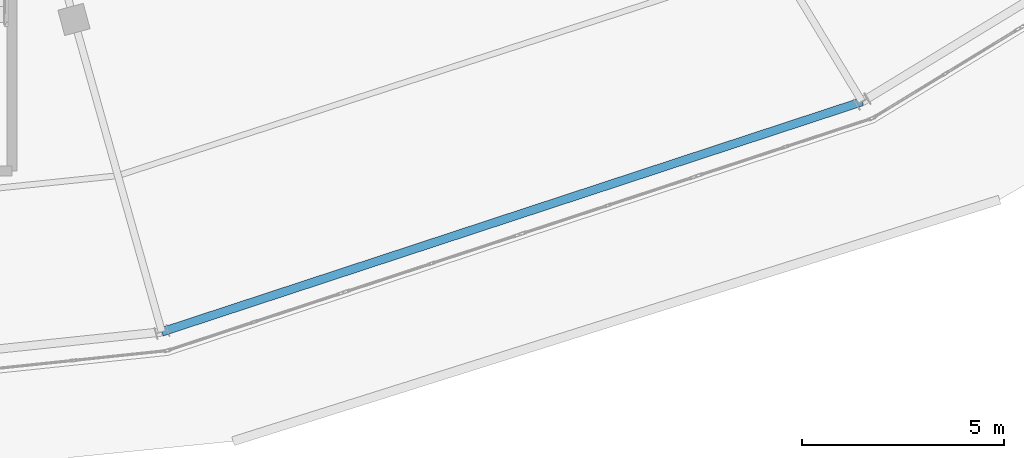
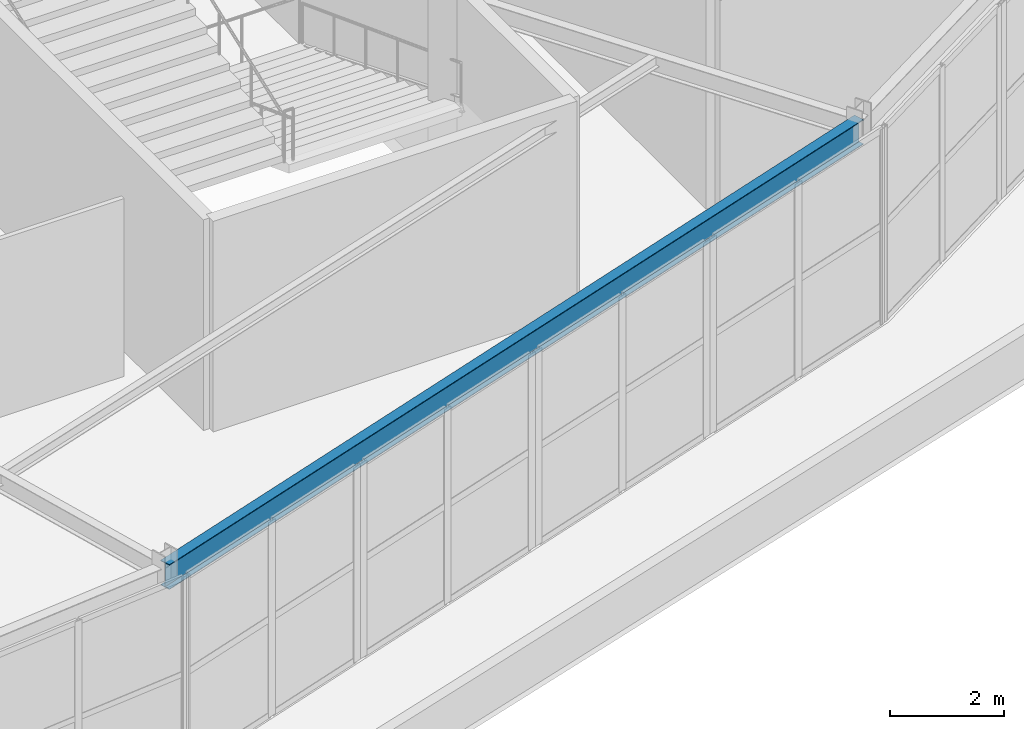
# One storey, part 43 of 126: 1 beam.
"""IFC4 building model written with IfcOpenShell, lengths in metres."""

from ifc_helpers import new_model, si_unit, direction, frame, origin, origin_2d, place, context, subcontext, project, spatial, i_section, extrude, material, material_profile, profile_set, type_object, element, save


model = new_model("IFC4")

# Units and contexts
model_context = context("Model", 3, precision=1e-05, world=origin(), true_north=direction((0.0, 1.0)))
body_context = subcontext(model_context, "Body", "Model", "MODEL_VIEW")
ifc_project = project(units=[si_unit("LENGTHUNIT", "METRE"), si_unit("AREAUNIT", "SQUARE_METRE"), si_unit("VOLUMEUNIT", "CUBIC_METRE"), si_unit("PLANEANGLEUNIT", "RADIAN"), si_unit("MASSUNIT", "GRAM", prefix="KILO")], contexts=[model_context])

# Site, building, storey
site_placement = place(None, origin())
site = spatial("IfcSite", under=ifc_project, at=site_placement, CompositionType="ELEMENT")
building_placement = place(site_placement, origin())
building = spatial("IfcBuilding", under=site, at=building_placement, Name="Kalgoora Escarpment Arena", CompositionType="ELEMENT")
storey_placement = place(building_placement, frame((0.0, 0.0, 18.89990234375)))
storey = spatial("IfcBuildingStorey", under=building, at=storey_placement, Name="L04", CompositionType="ELEMENT", Elevation=18.89990234375)

# Beam
ifc_material = material(Name="Structural steel AS/NZS 3679 (300 MPa)", Category="steel")
ifc_material_profile = material_profile(ifc_material, i_section(OverallWidth=0.208984375, OverallDepth=0.532958984375, WebThickness=0.01025390625, FlangeThickness=0.015625, at=origin_2d()))
ifc_profile_set = profile_set([ifc_material_profile], Name="Structural steel AS/NZS 3679 (300 MPa)")
beam_type = type_object("IfcBeamType", Name="BM-SPANDREL-530UB92.4", PredefinedType="SPANDREL", material=ifc_profile_set)
beam_placement = place(storey_placement, frame((110.983154296875, 8.942138671875, 3.963623046875), z_axis=(0.949954555117, 0.312388129115, 0.0), x_axis=(-0.312388129115, 0.949954555117, 0.0)))
element("IfcBeam", 1, at=beam_placement, inside=storey, type_object=beam_type, Name="L04 Circumferential concourse girder RCONC2 530UB92.4", PredefinedType="SPANDREL", context=body_context, shape_type="SweptSolid", body=[
    extrude(i_section(OverallWidth=0.208984375, OverallDepth=0.532958984375, WebThickness=0.01025390625, FlangeThickness=0.015625, at=origin_2d()), origin(), (0.0, 0.0, 1.0), 18.229248046875),
])

save(model, "model.ifc")
